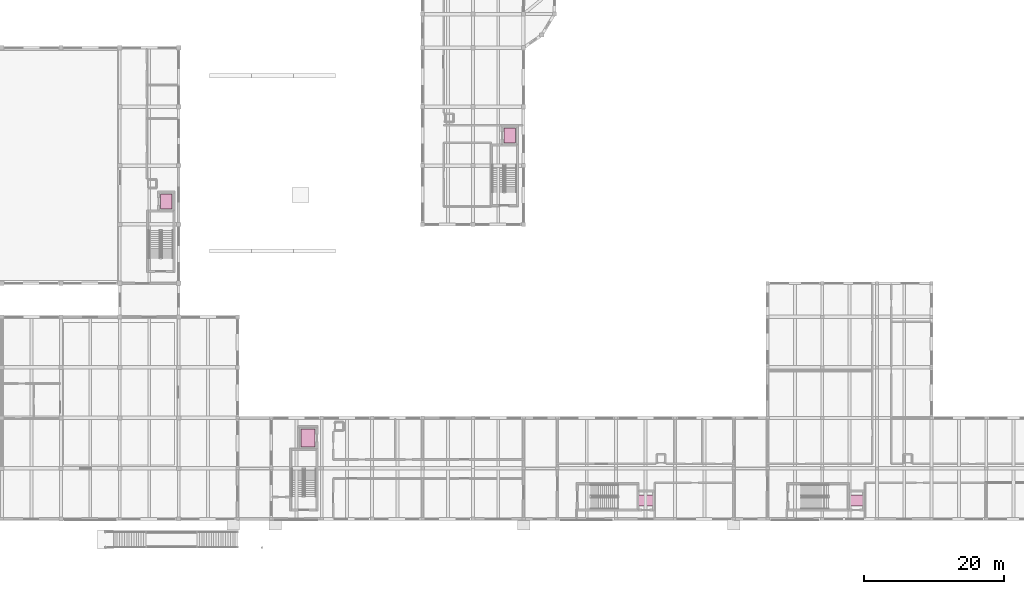
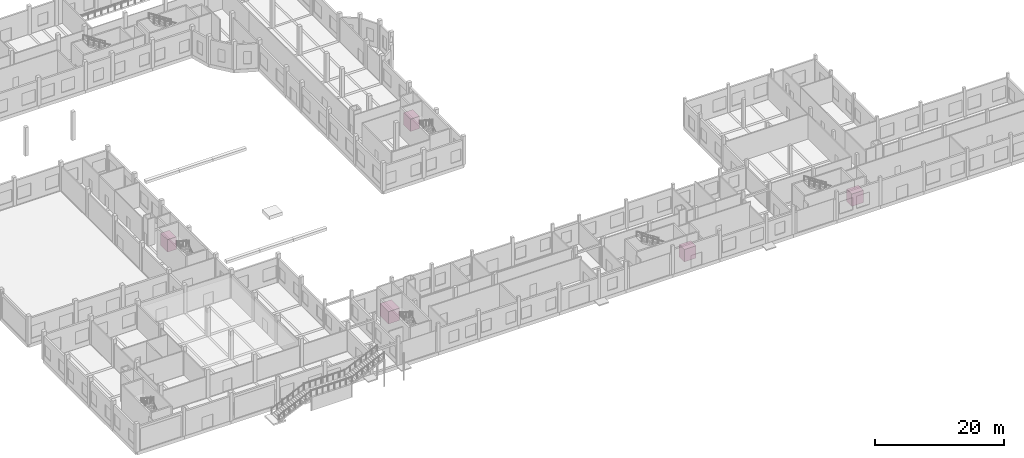
# One storey, part 41 of 41: 5 transport elements.
"""IFC4 building model written with IfcOpenShell, lengths in metres."""

from ifc_helpers import new_model, si_unit, direction, frame, origin, origin_2d, place, context, subcontext, project, spatial, rectangle, extrude, material, type_object, element, save


model = new_model("IFC4")

# Units and contexts
model_context = context("Model", 3, precision=1e-05, world=origin(), true_north=direction((0.0, 1.0)))
body_context = subcontext(model_context, "Body", "Model", "MODEL_VIEW")
ifc_project = project(units=[si_unit("LENGTHUNIT", "METRE"), si_unit("AREAUNIT", "SQUARE_METRE"), si_unit("VOLUMEUNIT", "CUBIC_METRE"), si_unit("PLANEANGLEUNIT", "RADIAN"), si_unit("MASSUNIT", "GRAM", prefix="KILO")], contexts=[model_context])

# Site, building, storey
site_placement = place(None, origin())
site = spatial("IfcSite", under=ifc_project, at=site_placement, CompositionType="ELEMENT")
building_placement = place(site_placement, origin())
building = spatial("IfcBuilding", under=site, at=building_placement, Name="Kahlenmark Community Centre", CompositionType="ELEMENT")
storey_placement = place(building_placement, origin())
storey = spatial("IfcBuildingStorey", under=building, at=storey_placement, Name="L00", CompositionType="ELEMENT", Elevation=0.0)

# Transport elements
ifc_material = material(Name="Brushed stainless steel passenger elevator cab", Category="steel")
transport_element_type_1 = type_object("IfcTransportElementType", Name="LTT-LF-02", PredefinedType="ELEVATOR", material=ifc_material)
transport_element_1_placement = place(storey_placement, frame((35.820068359375, 54.080078125, 0.0), z_axis=(0.0, 0.0, 1.0), x_axis=(1.0, 0.0, 0.0)))
element("IfcTransportElement", 1, at=transport_element_1_placement, inside=storey, type_object=transport_element_type_1, Name="Passenger elevator LF-02", PredefinedType="ELEVATOR", context=body_context, shape_type="SweptSolid", body=[
    extrude(rectangle(XDim=1.60009765625, YDim=2.10009765625, at=origin_2d()), origin(), (0.0, 0.0, 1.0), 2.35009765625),
])
transport_element_type_2 = type_object("IfcTransportElementType", Name="LTT-LF-03", PredefinedType="ELEVATOR", material=ifc_material)
transport_element_2_placement = place(storey_placement, frame((56.02001953125, 20.330078125, 0.0), z_axis=(0.0, 0.0, 1.0), x_axis=(1.0, 0.0, 0.0)))
element("IfcTransportElement", 2, at=transport_element_2_placement, inside=storey, type_object=transport_element_type_2, Name="Passenger elevator LF-03", PredefinedType="ELEVATOR", context=body_context, shape_type="SweptSolid", body=[
    extrude(rectangle(XDim=2.0, YDim=2.60009765625, at=origin_2d()), origin(), (0.0, 0.0, 1.0), 2.35009765625),
])
transport_element_type_3 = type_object("IfcTransportElementType", Name="LTT-LF-06", PredefinedType="ELEVATOR", material=ifc_material)
transport_element_3_placement = place(storey_placement, frame((84.820068359375, 63.47998046875, 0.0), z_axis=(0.0, 0.0, 1.0), x_axis=(1.0, 0.0, 0.0)))
element("IfcTransportElement", 3, at=transport_element_3_placement, inside=storey, type_object=transport_element_type_3, Name="Passenger elevator LF-06", PredefinedType="ELEVATOR", context=body_context, shape_type="SweptSolid", body=[
    extrude(rectangle(XDim=1.60009765625, YDim=2.10009765625, at=origin_2d()), origin(), (0.0, 0.0, 1.0), 2.35009765625),
])
transport_element_type_4 = type_object("IfcTransportElementType", Name="LTT-LF-07", PredefinedType="ELEVATOR", material=ifc_material)
transport_element_4_placement = place(storey_placement, frame((104.22998046875, 11.429931640625, 0.0), z_axis=(0.0, 0.0, 1.0), x_axis=(1.0, 0.0, 0.0)))
element("IfcTransportElement", 4, at=transport_element_4_placement, inside=storey, type_object=transport_element_type_4, Name="Passenger elevator LF-07", PredefinedType="ELEVATOR", context=body_context, shape_type="SweptSolid", body=[
    extrude(rectangle(XDim=2.10009765625, YDim=1.60009765625, at=origin_2d()), origin(), (0.0, 0.0, 1.0), 2.35009765625),
])
transport_element_type_5 = type_object("IfcTransportElementType", Name="LTT-LF-08", PredefinedType="ELEVATOR", material=ifc_material)
transport_element_5_placement = place(storey_placement, frame((134.22998046875, 11.429931640625, 0.0), z_axis=(0.0, 0.0, 1.0), x_axis=(1.0, 0.0, 0.0)))
element("IfcTransportElement", 5, at=transport_element_5_placement, inside=storey, type_object=transport_element_type_5, Name="Passenger elevator LF-08", PredefinedType="ELEVATOR", context=body_context, shape_type="SweptSolid", body=[
    extrude(rectangle(XDim=2.10009765625, YDim=1.60009765625, at=origin_2d()), origin(), (0.0, 0.0, 1.0), 2.35009765625),
])

save(model, "model.ifc")
